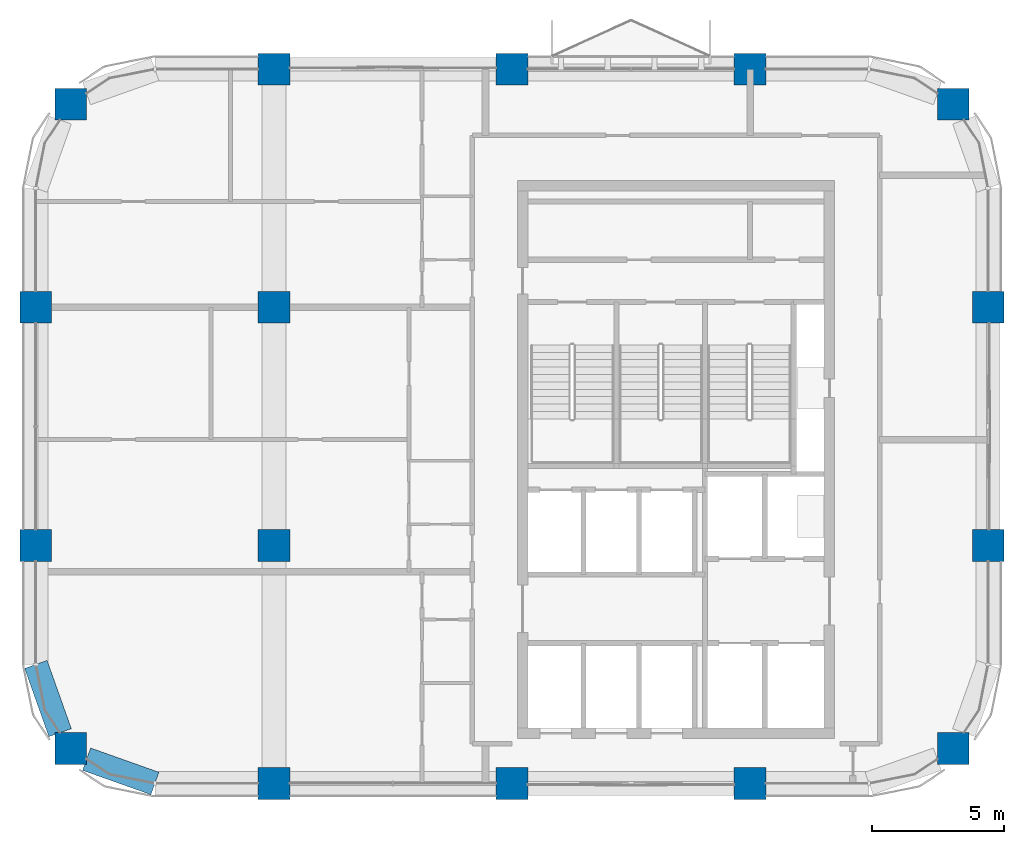
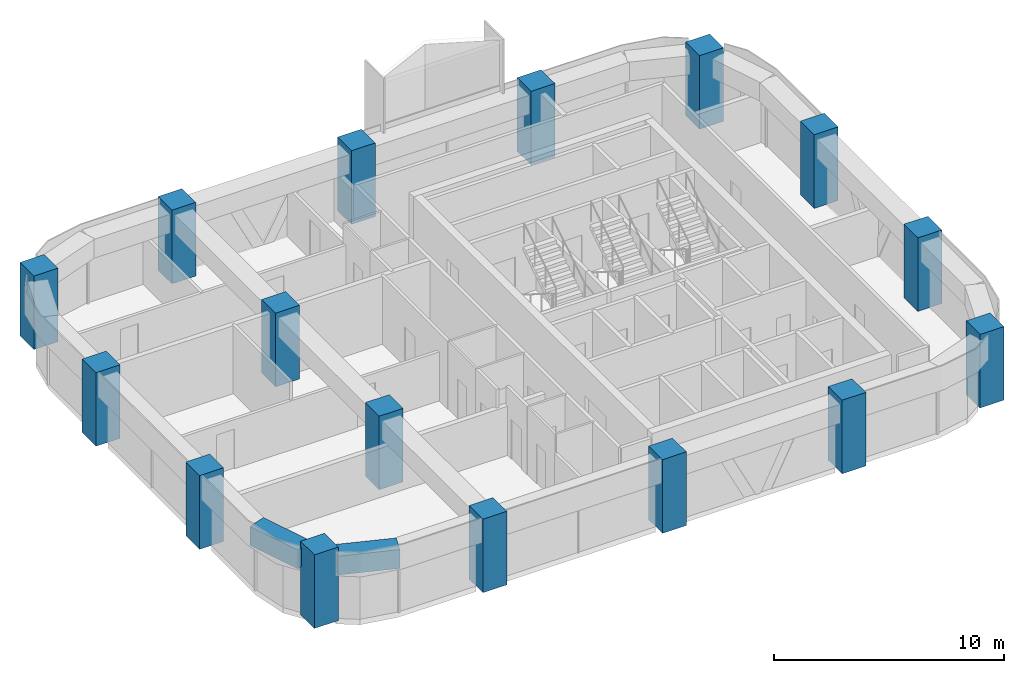
# One storey, part 1 of 10: 16 columns, 2 beams.
"""IFC4 building model written with IfcOpenShell, lengths in metres."""

from ifc_helpers import new_model, si_unit, direction, frame, origin, origin_2d, place, context, subcontext, project, spatial, rectangle, extrude, material, material_profile, profile_set, type_object, element, save


model = new_model("IFC4")

# Units and contexts
model_context = context("Model", 3, precision=1e-05, world=origin(), true_north=direction((0.0, 1.0)))
body_context = subcontext(model_context, "Body", "Model", "MODEL_VIEW")
ifc_project = project(units=[si_unit("LENGTHUNIT", "METRE"), si_unit("AREAUNIT", "SQUARE_METRE"), si_unit("VOLUMEUNIT", "CUBIC_METRE"), si_unit("PLANEANGLEUNIT", "RADIAN"), si_unit("MASSUNIT", "GRAM", prefix="KILO")], contexts=[model_context])

# Site, building, storey
site_placement = place(None, origin())
site = spatial("IfcSite", under=ifc_project, at=site_placement, CompositionType="ELEMENT")
building_placement = place(site_placement, origin())
building = spatial("IfcBuilding", under=site, at=building_placement, Name="Tessera Arch", CompositionType="ELEMENT")
storey_placement = place(building_placement, frame((0.0, 0.0, 242.300048828125)))
storey = spatial("IfcBuildingStorey", under=building, at=storey_placement, Name="L58", CompositionType="ELEMENT", Elevation=242.300048828125)

# Columns
ifc_material_1 = material(Name="Concrete C60/75", Category="concrete")
ifc_material_profile_1 = material_profile(ifc_material_1, rectangle(XDim=1.199951171875, YDim=1.199951171875, at=origin_2d()), Name="RC column 1200 x 1200 Concrete C60/75")
ifc_profile_set_1 = profile_set([ifc_material_profile_1], Name="Concrete C60/75")
column_type = type_object("IfcColumnType", Name="RC column 1200 x 1200 Concrete C60/75", PredefinedType="COLUMN", material=ifc_profile_set_1)
for number, where, z_axis, x_axis, name in (
    (1, (19.318115234375, 28.318115234375, 0.0), (0.0, 0.0, 1.0), (1.0, 0.0, 0.0), "Column C3D L58"),
    (2, (18.0, 36.0, 0.0), (0.0, 0.0, 1.0), (1.0, 0.0, 0.0), "Column C3E L58"),
    (3, (18.0, 45.0, 0.0), (0.0, 0.0, 1.0), (1.0, 0.0, 0.0), "Column C3F L58"),
    (4, (19.318115234375, 52.681884765625, 0.0), (0.0, 0.0, 1.0), (1.0, 0.0, 0.0), "Column C3G L58"),
    (5, (27.0, 27.0, 0.0), (0.0, 0.0, 1.0), (1.0, 0.0, 0.0), "Column C4D L58"),
    (6, (27.0, 36.0, 0.0), (0.0, 0.0, 1.0), (1.0, 0.0, 0.0), "Column C4E L58"),
    (7, (27.0, 45.0, 0.0), (0.0, 0.0, 1.0), (1.0, 0.0, 0.0), "Column C4F L58"),
    (8, (27.0, 54.0, 0.0), (0.0, 0.0, 1.0), (1.0, 0.0, 0.0), "Column C4G L58"),
    (9, (36.0, 27.0, 0.0), (0.0, 0.0, 1.0), (1.0, 0.0, 0.0), "Column C5D L58"),
    (10, (36.0, 54.0, 0.0), (0.0, 0.0, 1.0), (1.0, 0.0, 0.0), "Column C5G L58"),
    (11, (45.0, 27.0, 0.0), (0.0, 0.0, 1.0), (1.0, 0.0, 0.0), "Column C6D L58"),
    (12, (45.0, 54.0, 0.0), (0.0, 0.0, 1.0), (1.0, 0.0, 0.0), "Column C6G L58"),
    (13, (52.681884765625, 28.318115234375, 0.0), (0.0, 0.0, 1.0), (1.0, 0.0, 0.0), "Column C7D L58"),
    (14, (54.0, 36.0, 0.0), (0.0, 0.0, 1.0), (1.0, 0.0, 0.0), "Column C7E L58"),
    (15, (54.0, 45.0, 0.0), (0.0, 0.0, 1.0), (1.0, 0.0, 0.0), "Column C7F L58"),
    (16, (52.681884765625, 52.681884765625, 0.0), (0.0, 0.0, 1.0), (1.0, 0.0, 0.0), "Column C7G L58"),
):
    element("IfcColumn", number, at=place(storey_placement, frame(where, z_axis=z_axis, x_axis=x_axis)), inside=storey, type_object=column_type, Name=name, PredefinedType="COLUMN", context=body_context, shape_type="SweptSolid", body=[
        extrude(rectangle(XDim=1.199951171875, YDim=1.199951171875, at=origin_2d()), origin(), (0.0, 0.0, 1.0), 3.89990234375),
    ])

# Beams
ifc_material_2 = material(Name="Concrete C60/75", Category="concrete")
ifc_material_profile_2 = material_profile(ifc_material_2, rectangle(XDim=0.89990234375, YDim=1.0, at=origin_2d()), Name="RC spandrel beam 900 x 1000 Concrete C60/75")
ifc_profile_set_2 = profile_set([ifc_material_profile_2], Name="Concrete C60/75")
beam_type = type_object("IfcBeamType", Name="RC spandrel beam 900 x 1000 Concrete C60/75", PredefinedType="BEAM", material=ifc_profile_set_2)
for number, where, z_axis, x_axis, name in (
    (17, (18.0, 31.5, 3.099853515625), (0.334665114373, -0.942337127159, 0.0), (0.942337127159, 0.334665114373, 0.0), "Spandrel beam L58 W18.27/2.2"),
    (18, (19.91796875, 27.9169921875, 3.099853515625), (0.942337127159, -0.334665114373, 0.0), (0.334665114373, 0.942337127159, 0.0), "Spandrel beam L58 S27.18/0.1"),
):
    element("IfcBeam", number, at=place(storey_placement, frame(where, z_axis=z_axis, x_axis=x_axis)), inside=storey, type_object=beam_type, Name=name, PredefinedType="BEAM", context=body_context, shape_type="SweptSolid", body=[
        extrude(rectangle(XDim=0.89990234375, YDim=1.0, at=origin_2d()), origin(), (0.0, 0.0, 1.0), 2.739990234375),
    ])

save(model, "model.ifc")
